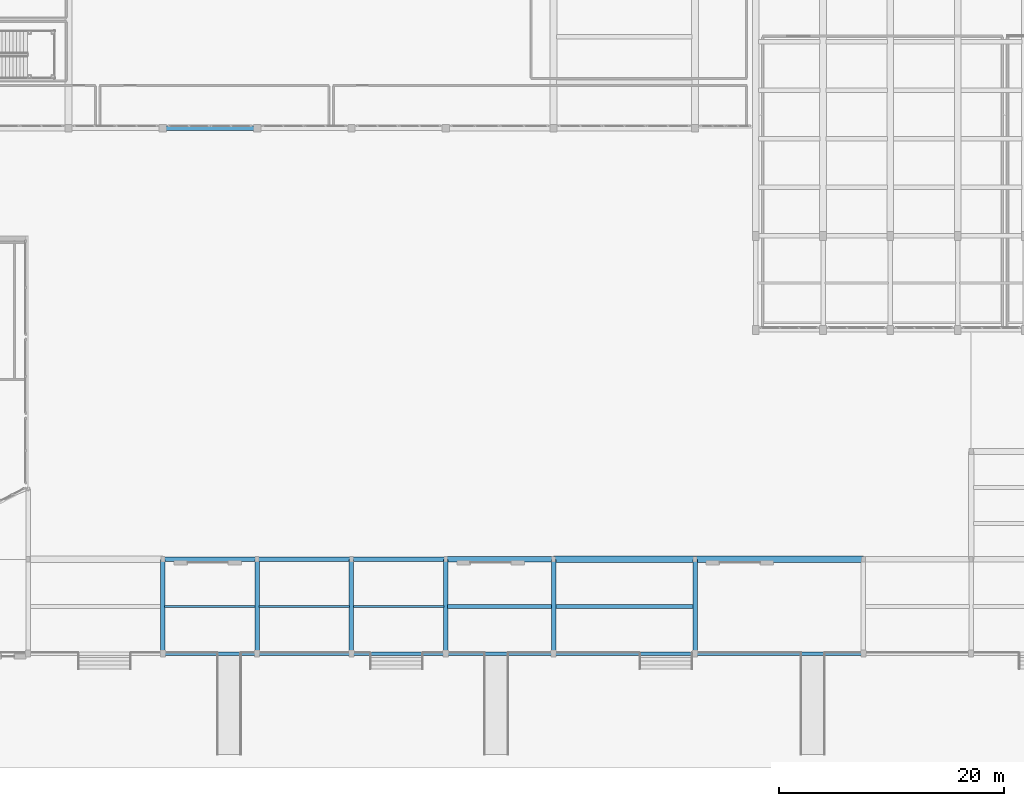
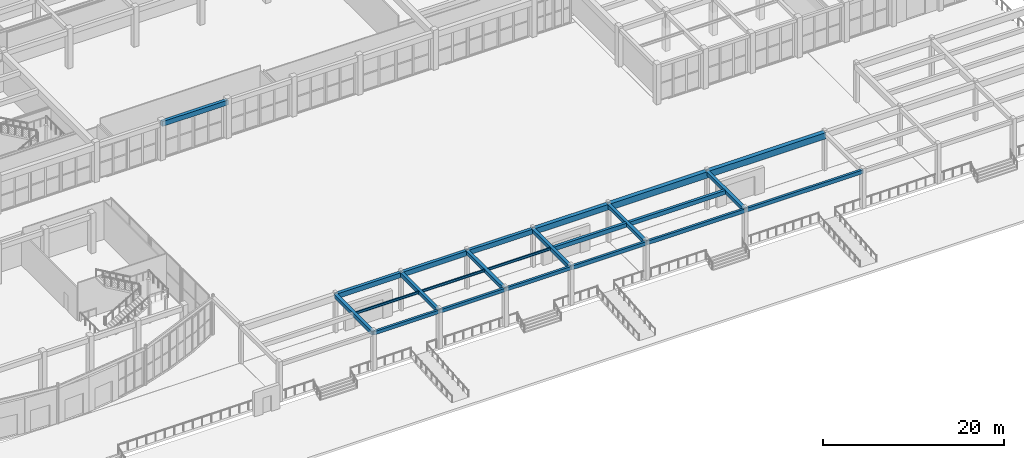
# One storey, part 22 of 98: 24 beams.
"""IFC4 building model written with IfcOpenShell, lengths in metres."""

from ifc_helpers import new_model, si_unit, direction, frame, origin, origin_2d, place, context, subcontext, project, spatial, rectangle, i_section, extrude, material, material_profile, profile_set, type_object, element, save


model = new_model("IFC4")

# Units and contexts
model_context = context("Model", 3, precision=1e-05, world=origin(), true_north=direction((0.0, 1.0)))
body_context = subcontext(model_context, "Body", "Model", "MODEL_VIEW")
ifc_project = project(units=[si_unit("LENGTHUNIT", "METRE"), si_unit("AREAUNIT", "SQUARE_METRE"), si_unit("VOLUMEUNIT", "CUBIC_METRE"), si_unit("PLANEANGLEUNIT", "RADIAN"), si_unit("MASSUNIT", "GRAM", prefix="KILO")], contexts=[model_context])

# Site, building, storey
site_placement = place(None, origin())
site = spatial("IfcSite", under=ifc_project, at=site_placement, CompositionType="ELEMENT")
building_placement = place(site_placement, origin())
building = spatial("IfcBuilding", under=site, at=building_placement, Name="Tarnavel Promenade Courthouse", CompositionType="ELEMENT")
storey_placement = place(building_placement, origin())
storey = spatial("IfcBuildingStorey", under=building, at=storey_placement, Name="L01", CompositionType="ELEMENT", Elevation=0.0)

# Beams
ifc_material_1 = material(Name="Concrete C40/50", Category="concrete")
ifc_material_profile_1 = material_profile(ifc_material_1, rectangle(XDim=0.35009765625, YDim=0.550048828125, at=origin_2d()), Name="PT 350x550")
ifc_profile_set_1 = profile_set([ifc_material_profile_1], Name="Concrete C40/50")
beam_type_1 = type_object("IfcBeamType", Name="Concrete C40/50 BM-PT-350x550 (PT 350x550)", PredefinedType="JOIST", material=ifc_profile_set_1)
beam_1_placement = place(storey_placement, frame((92.570068359375, 4.199951171875, 4.860107421875), z_axis=(1.0, 0.0, 0.0), x_axis=(0.0, 1.0, 0.0)))
element("IfcBeam", 1, at=beam_1_placement, inside=storey, type_object=beam_type_1, Name="L01 Secondary Floor Rib 0895", PredefinedType="JOIST", context=body_context, shape_type="SweptSolid", body=[
    extrude(rectangle(XDim=0.35009765625, YDim=0.550048828125, at=origin_2d()), origin(), (0.0, 0.0, 1.0), 9.260009765625),
])
beam_2_placement = place(storey_placement, frame((102.169921875, 4.199951171875, 4.860107421875), z_axis=(1.0, 0.0, 0.0), x_axis=(0.0, 1.0, 0.0)))
element("IfcBeam", 2, at=beam_2_placement, inside=storey, type_object=beam_type_1, Name="L01 Secondary Floor Rib 0896", PredefinedType="JOIST", context=body_context, shape_type="SweptSolid", body=[
    extrude(rectangle(XDim=0.35009765625, YDim=0.550048828125, at=origin_2d()), origin(), (0.0, 0.0, 1.0), 12.260009765625),
])
ifc_material_profile_2 = material_profile(ifc_material_1, rectangle(XDim=0.550048828125, YDim=0.85009765625, at=origin_2d()), Name="PT 550x850")
ifc_profile_set_2 = profile_set([ifc_material_profile_2], Name="Concrete C40/50")
beam_type_2 = type_object("IfcBeamType", Name="Concrete C40/50 BM-PT-550x850 (PT 550x850)", PredefinedType="T_BEAM", material=ifc_profile_set_2)
beam_3_placement = place(storey_placement, frame((102.0, 8.39990234375, 4.7099609375), z_axis=(1.0, 0.0, 0.0), x_axis=(0.0, 1.0, 0.0)))
element("IfcBeam", 3, at=beam_3_placement, inside=storey, type_object=beam_type_2, Name="L01 Primary Longitudinal Beam 0575", PredefinedType="T_BEAM", context=body_context, shape_type="SweptSolid", body=[
    extrude(rectangle(XDim=0.550048828125, YDim=0.85009765625, at=origin_2d()), origin(), (0.0, 0.0, 1.0), 12.60009765625),
])
beam_4_placement = place(storey_placement, frame((114.60009765625, 8.39990234375, 4.7099609375), z_axis=(1.0, 0.0, 0.0), x_axis=(0.0, 1.0, 0.0)))
element("IfcBeam", 4, at=beam_4_placement, inside=storey, type_object=beam_type_2, Name="L01 Primary Longitudinal Beam 0576", PredefinedType="T_BEAM", context=body_context, shape_type="SweptSolid", body=[
    extrude(rectangle(XDim=0.550048828125, YDim=0.85009765625, at=origin_2d()), origin(), (0.0, 0.0, 1.0), 15.0),
])
ifc_material_profile_3 = material_profile(ifc_material_1, rectangle(XDim=0.39990234375, YDim=0.5, at=origin_2d()), Name="RC 400x500")
ifc_profile_set_3 = profile_set([ifc_material_profile_3], Name="Concrete C40/50")
beam_type_3 = type_object("IfcBeamType", Name="Concrete C40/50 BM-RC-400x500 (RC 400x500)", PredefinedType="BEAM", material=ifc_profile_set_3)
for number, where, z_axis, x_axis, name in (
    (5, (67.199951171875, 0.0, 4.885009765625), (0.0, 1.0, 0.0), (-1.0, 0.0, 0.0), "L01 Transverse Girder 0795"),
    (6, (75.60009765625, 0.0, 4.885009765625), (0.0, 1.0, 0.0), (-1.0, 0.0, 0.0), "L01 Transverse Girder 0801"),
    (7, (84.0, 0.0, 4.885009765625), (0.0, 1.0, 0.0), (-1.0, 0.0, 0.0), "L01 Transverse Girder 0807"),
    (8, (92.39990234375, 0.0, 4.885009765625), (0.0, 1.0, 0.0), (-1.0, 0.0, 0.0), "L01 Transverse Girder 0814"),
    (9, (102.0, 0.0, 4.885009765625), (0.0, 1.0, 0.0), (-1.0, 0.0, 0.0), "L01 Transverse Girder 0820"),
    (10, (114.60009765625, 0.0, 4.885009765625), (0.0, 1.0, 0.0), (-1.0, 0.0, 0.0), "L01 Transverse Girder 0829"),
):
    element("IfcBeam", number, at=place(storey_placement, frame(where, z_axis=z_axis, x_axis=x_axis)), inside=storey, type_object=beam_type_3, Name=name, PredefinedType="BEAM", context=body_context, shape_type="SweptSolid", body=[
        extrude(rectangle(XDim=0.39990234375, YDim=0.5, at=origin_2d()), origin(), (0.0, 0.0, 1.0), 8.39990234375),
    ])
ifc_material_profile_4 = material_profile(ifc_material_1, rectangle(XDim=0.39990234375, YDim=0.64990234375, at=origin_2d()), Name="RC 400x650")
ifc_profile_set_4 = profile_set([ifc_material_profile_4], Name="Concrete C40/50")
beam_type_4 = type_object("IfcBeamType", Name="Concrete C40/50 BM-RC-400x650 (RC 400x650)", PredefinedType="BEAM", material=ifc_profile_set_4)
beam_5_placement = place(storey_placement, frame((67.199951171875, 8.39990234375, 4.81005859375), z_axis=(1.0, 0.0, 0.0), x_axis=(0.0, 1.0, 0.0)))
element("IfcBeam", 11, at=beam_5_placement, inside=storey, type_object=beam_type_4, Name="L01 Primary Longitudinal Beam 0571", PredefinedType="BEAM", context=body_context, shape_type="SweptSolid", body=[
    extrude(rectangle(XDim=0.39990234375, YDim=0.64990234375, at=origin_2d()), origin(), (0.0, 0.0, 1.0), 8.400146484375),
])
for number, where, z_axis, x_axis, name in (
    (12, (75.60009765625, 8.39990234375, 4.81005859375), (1.0, 0.0, 0.0), (0.0, 1.0, 0.0), "L01 Primary Longitudinal Beam 0572"),
    (13, (84.0, 8.39990234375, 4.81005859375), (1.0, 0.0, 0.0), (0.0, 1.0, 0.0), "L01 Primary Longitudinal Beam 0573"),
):
    element("IfcBeam", number, at=place(storey_placement, frame(where, z_axis=z_axis, x_axis=x_axis)), inside=storey, type_object=beam_type_4, Name=name, PredefinedType="BEAM", context=body_context, shape_type="SweptSolid", body=[
        extrude(rectangle(XDim=0.39990234375, YDim=0.64990234375, at=origin_2d()), origin(), (0.0, 0.0, 1.0), 8.39990234375),
    ])
beam_6_placement = place(storey_placement, frame((67.199951171875, 46.800048828125, 4.77001953125), z_axis=(1.0, 0.0, 0.0), x_axis=(0.0, 1.0, 0.0)))
element("IfcBeam", 14, at=beam_6_placement, inside=storey, type_object=beam_type_4, Name="L01 Primary Longitudinal Beam 0621", PredefinedType="BEAM", context=body_context, shape_type="SweptSolid", body=[
    extrude(rectangle(XDim=0.39990234375, YDim=0.64990234375, at=origin_2d()), origin(), (0.0, 0.0, 1.0), 8.400146484375),
])
ifc_material_profile_5 = material_profile(ifc_material_1, rectangle(XDim=0.5, YDim=0.75, at=origin_2d()), Name="RC 500x750")
ifc_profile_set_5 = profile_set([ifc_material_profile_5], Name="Concrete C40/50")
beam_type_5 = type_object("IfcBeamType", Name="Concrete C40/50 BM-RC-500x750 (RC 500x750)", PredefinedType="T_BEAM", material=ifc_profile_set_5)
beam_7_placement = place(storey_placement, frame((92.39990234375, 8.39990234375, 4.760009765625), z_axis=(1.0, 0.0, 0.0), x_axis=(0.0, 1.0, 0.0)))
element("IfcBeam", 15, at=beam_7_placement, inside=storey, type_object=beam_type_5, Name="L01 Primary Longitudinal Beam 0574", PredefinedType="T_BEAM", context=body_context, shape_type="SweptSolid", body=[
    extrude(rectangle(XDim=0.5, YDim=0.75, at=origin_2d()), origin(), (0.0, 0.0, 1.0), 9.60009765625),
])
ifc_material_profile_6 = material_profile(ifc_material_1, rectangle(XDim=0.300048828125, YDim=0.449951171875, at=origin_2d()), Name="RC 300x450")
ifc_profile_set_6 = profile_set([ifc_material_profile_6], Name="Concrete C40/50")
beam_type_6 = type_object("IfcBeamType", Name="Concrete C40/50 BM-SP-300x450 (RC 300x450)", PredefinedType="SPANDREL", material=ifc_profile_set_6)
beam_8_placement = place(storey_placement, frame((67.199951171875, 0.0, 4.909912109375), z_axis=(1.0, 0.0, 0.0), x_axis=(0.0, 1.0, 0.0)))
element("IfcBeam", 16, at=beam_8_placement, inside=storey, type_object=beam_type_6, Name="L01 Primary Longitudinal Beam 0560", PredefinedType="SPANDREL", context=body_context, shape_type="SweptSolid", body=[
    extrude(rectangle(XDim=0.300048828125, YDim=0.449951171875, at=origin_2d()), origin(), (0.0, 0.0, 1.0), 8.400146484375),
])
for number, where, z_axis, x_axis, name in (
    (17, (75.60009765625, 0.0, 4.909912109375), (1.0, 0.0, 0.0), (0.0, 1.0, 0.0), "L01 Primary Longitudinal Beam 0561"),
    (18, (84.0, 0.0, 4.909912109375), (1.0, 0.0, 0.0), (0.0, 1.0, 0.0), "L01 Primary Longitudinal Beam 0562"),
):
    element("IfcBeam", number, at=place(storey_placement, frame(where, z_axis=z_axis, x_axis=x_axis)), inside=storey, type_object=beam_type_6, Name=name, PredefinedType="SPANDREL", context=body_context, shape_type="SweptSolid", body=[
        extrude(rectangle(XDim=0.300048828125, YDim=0.449951171875, at=origin_2d()), origin(), (0.0, 0.0, 1.0), 8.39990234375),
    ])
ifc_material_profile_7 = material_profile(ifc_material_1, rectangle(XDim=0.300048828125, YDim=0.5, at=origin_2d()), Name="RC 300x500")
ifc_profile_set_7 = profile_set([ifc_material_profile_7], Name="Concrete C40/50")
beam_type_7 = type_object("IfcBeamType", Name="Concrete C40/50 BM-SP-300x500 (RC 300x500)", PredefinedType="SPANDREL", material=ifc_profile_set_7)
beam_9_placement = place(storey_placement, frame((92.39990234375, 0.0, 4.885009765625), z_axis=(1.0, 0.0, 0.0), x_axis=(0.0, 1.0, 0.0)))
element("IfcBeam", 19, at=beam_9_placement, inside=storey, type_object=beam_type_7, Name="L01 Primary Longitudinal Beam 0563", PredefinedType="SPANDREL", context=body_context, shape_type="SweptSolid", body=[
    extrude(rectangle(XDim=0.300048828125, YDim=0.5, at=origin_2d()), origin(), (0.0, 0.0, 1.0), 9.60009765625),
])
beam_10_placement = place(storey_placement, frame((102.0, 0.0, 4.885009765625), z_axis=(1.0, 0.0, 0.0), x_axis=(0.0, 1.0, 0.0)))
element("IfcBeam", 20, at=beam_10_placement, inside=storey, type_object=beam_type_7, Name="L01 Primary Longitudinal Beam 0564", PredefinedType="SPANDREL", context=body_context, shape_type="SweptSolid", body=[
    extrude(rectangle(XDim=0.300048828125, YDim=0.5, at=origin_2d()), origin(), (0.0, 0.0, 1.0), 12.60009765625),
])
beam_11_placement = place(storey_placement, frame((114.60009765625, 0.0, 4.885009765625), z_axis=(1.0, 0.0, 0.0), x_axis=(0.0, 1.0, 0.0)))
element("IfcBeam", 21, at=beam_11_placement, inside=storey, type_object=beam_type_7, Name="L01 Primary Longitudinal Beam 0565", PredefinedType="SPANDREL", context=body_context, shape_type="SweptSolid", body=[
    extrude(rectangle(XDim=0.300048828125, YDim=0.5, at=origin_2d()), origin(), (0.0, 0.0, 1.0), 15.0),
])
ifc_material_2 = material(Name="Steel S355J2", Category="steel")
ifc_material_profile_8 = material_profile(ifc_material_2, i_section(OverallWidth=0.159912109375, OverallDepth=0.330078125, WebThickness=0.007568359375, FlangeThickness=0.011474609375, FilletRadius=0.01806640625, at=origin_2d()), Name="IPE 330")
ifc_profile_set_8 = profile_set([ifc_material_profile_8], Name="Steel S355J2")
beam_type_8 = type_object("IfcBeamType", Name="Steel S355J2 BM-ST-IPE330 (IPE 330)", PredefinedType="JOIST", material=ifc_profile_set_8)
beam_12_placement = place(storey_placement, frame((67.3701171875, 4.199951171875, 4.969970703125), z_axis=(1.0, 0.0, 0.0), x_axis=(0.0, 1.0, 0.0)))
element("IfcBeam", 22, at=beam_12_placement, inside=storey, type_object=beam_type_8, Name="L01 Secondary Floor Rib 0892", PredefinedType="JOIST", context=body_context, shape_type="SweptSolid", body=[
    extrude(i_section(OverallWidth=0.159912109375, OverallDepth=0.330078125, WebThickness=0.007568359375, FlangeThickness=0.011474609375, FilletRadius=0.01806640625, at=origin_2d()), origin(), (0.0, 0.0, 1.0), 8.059814453125),
])
for number, where, z_axis, x_axis, name in (
    (23, (75.77001953125, 4.199951171875, 4.969970703125), (1.0, 0.0, 0.0), (0.0, 1.0, 0.0), "L01 Secondary Floor Rib 0893"),
    (24, (84.169921875, 4.199951171875, 4.969970703125), (1.0, 0.0, 0.0), (0.0, 1.0, 0.0), "L01 Secondary Floor Rib 0894"),
):
    element("IfcBeam", number, at=place(storey_placement, frame(where, z_axis=z_axis, x_axis=x_axis)), inside=storey, type_object=beam_type_8, Name=name, PredefinedType="JOIST", context=body_context, shape_type="SweptSolid", body=[
        extrude(i_section(OverallWidth=0.159912109375, OverallDepth=0.330078125, WebThickness=0.007568359375, FlangeThickness=0.011474609375, FilletRadius=0.01806640625, at=origin_2d()), origin(), (0.0, 0.0, 1.0), 8.06005859375),
    ])

save(model, "model.ifc")
